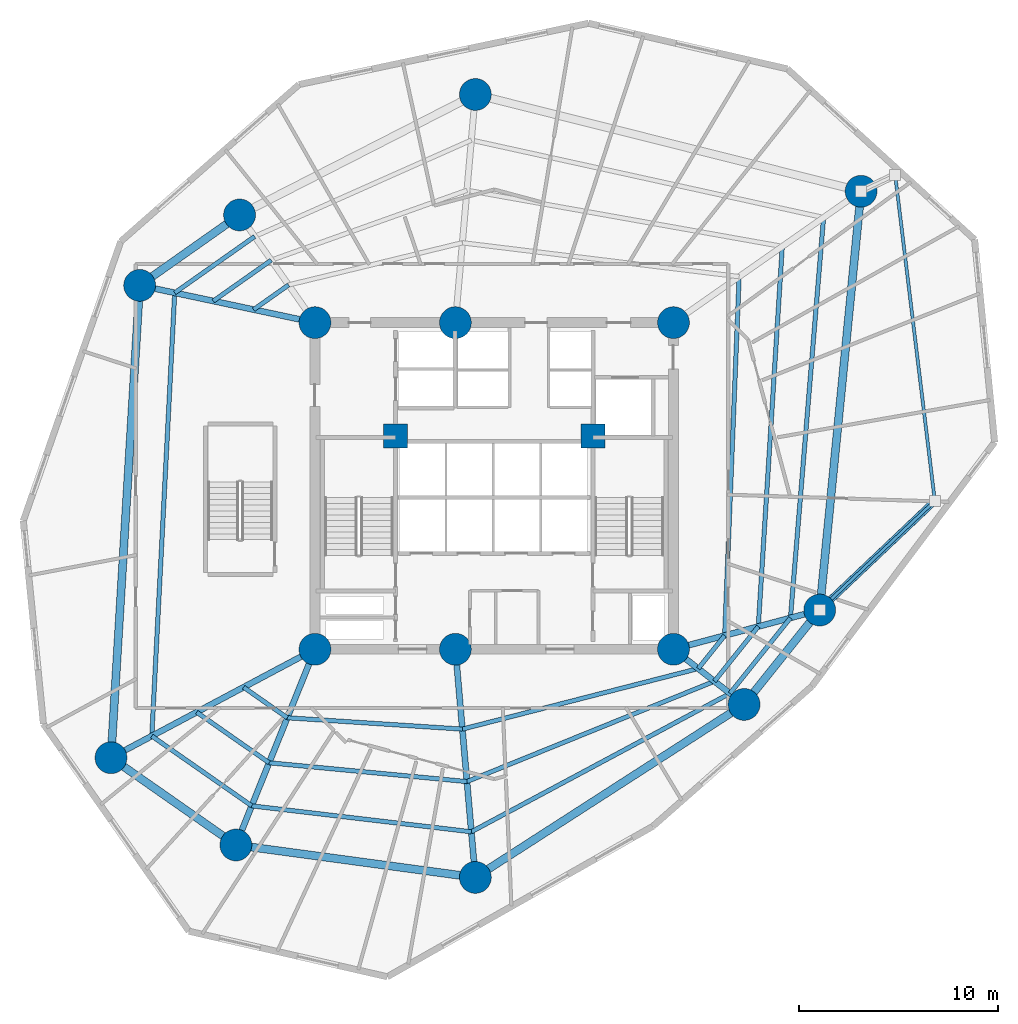
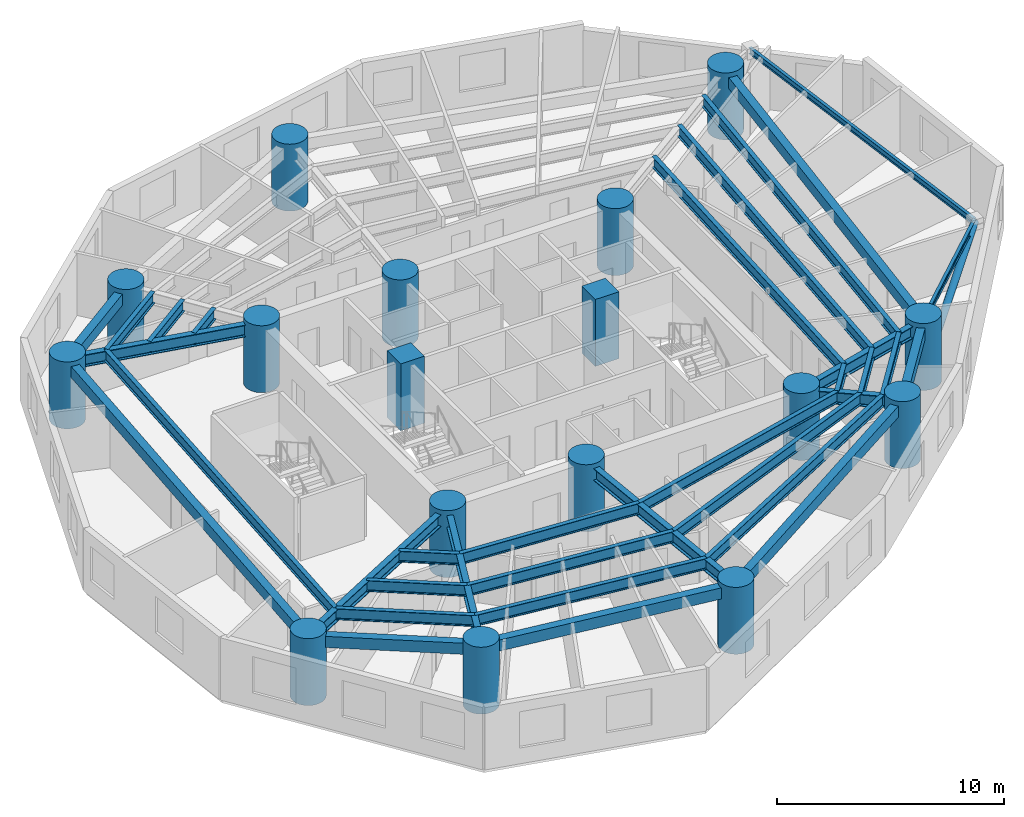
# One storey, part 1 of 8: 34 beams, 17 columns, 1 member.
"""IFC4 building model written with IfcOpenShell, lengths in metres."""

from ifc_helpers import new_model, si_unit, direction, frame, origin, origin_with_axes, origin_2d, place, context, subcontext, project, spatial, rectangle, circle, hollow_circle, i_section, extrude, source, transform, mapped, material, material_profile, profile_set, type_object, element, save


model = new_model("IFC4")

# Units and contexts
model_context = context("Model", 3, precision=1e-05, world=origin(), true_north=direction((0.0, 1.0)))
body_context = subcontext(model_context, "Body", "Model", "MODEL_VIEW")
ifc_project = project(units=[si_unit("LENGTHUNIT", "METRE"), si_unit("AREAUNIT", "SQUARE_METRE"), si_unit("VOLUMEUNIT", "CUBIC_METRE"), si_unit("PLANEANGLEUNIT", "RADIAN"), si_unit("MASSUNIT", "GRAM", prefix="KILO")], contexts=[model_context])

# Site, building, storey
site_placement = place(None, origin())
site = spatial("IfcSite", under=ifc_project, at=site_placement, CompositionType="ELEMENT")
building_placement = place(site_placement, origin())
building = spatial("IfcBuilding", under=site, at=building_placement, Name="Karkom Vertical University and Central Library", CompositionType="ELEMENT")
storey_placement = place(building_placement, frame((0.0, 0.0, 62.5)))
storey = spatial("IfcBuildingStorey", under=building, at=storey_placement, Name="L16", CompositionType="ELEMENT", Elevation=62.5)

# Columns
ifc_material_1 = material(Name="Concrete C50/60", Category="concrete")
ifc_material_profile_1 = material_profile(ifc_material_1, circle(Radius=0.800048828125, at=origin_2d()), Name="CFT-D1600")
ifc_profile_set_1 = profile_set([ifc_material_profile_1], Name="Concrete C50/60")
column_type_1 = type_object("IfcColumnType", Name="STR-COL-C-SC2", PredefinedType="COLUMN", material=ifc_profile_set_1)
shared_shape_1 = source(origin_with_axes(), body_context, "Body", "SweptSolid", [
    extrude(circle(Radius=0.800048828125, at=origin_2d()), origin(), (0.0, 0.0, 1.0), 3.60009765625),
])
for number, where, z_axis, x_axis, name in (
    (1, (19.5, 18.300048828125, 0.0), (0.0, 0.0, 1.0), (1.0, 0.0, 0.0), "Level 16 Spine Mega-Column SC-1"),
    (2, (26.550048828125, 18.300048828125, 0.0), (0.0, 0.0, 1.0), (1.0, 0.0, 0.0), "Level 16 Spine Mega-Column SC-2"),
    (3, (37.5, 18.300048828125, 0.0), (0.0, 0.0, 1.0), (1.0, 0.0, 0.0), "Level 16 Spine Mega-Column SC-3"),
    (4, (19.5, 34.699951171875, 0.0), (0.0, 0.0, 1.0), (1.0, 0.0, 0.0), "Level 16 Spine Mega-Column SC-4"),
    (5, (26.550048828125, 34.699951171875, 0.0), (0.0, 0.0, 1.0), (1.0, 0.0, 0.0), "Level 16 Spine Mega-Column SC-5"),
    (6, (37.5, 34.699951171875, 0.0), (0.0, 0.0, 1.0), (1.0, 0.0, 0.0), "Level 16 Spine Mega-Column SC-6"),
    (7, (44.841064453125, 20.26708984375, 0.0), (0.0, 0.0, 1.0), (1.0, 0.0, 0.0), "Level 16 Perimeter Mega-Column Z1-PC1"),
    (8, (46.919921875, 41.2958984375, 0.0), (0.0, 0.0, 1.0), (1.0, 0.0, 0.0), "Level 16 Perimeter Mega-Column Z1-PC2"),
    (9, (27.552001953125, 46.156005859375, 0.0), (0.0, 0.0, 1.0), (1.0, 0.0, 0.0), "Level 16 Perimeter Mega-Column Z1-PC3"),
    (10, (15.714111328125, 40.10595703125, 0.0), (0.0, 0.0, 1.0), (1.0, 0.0, 0.0), "Level 16 Perimeter Mega-Column Z1-PC4"),
    (11, (10.697021484375, 36.571044921875, 0.0), (0.0, 0.0, 1.0), (1.0, 0.0, 0.0), "Level 16 Perimeter Mega-Column Z1-PC5"),
    (12, (9.258056640625, 12.85400390625, 0.0), (0.0, 0.0, 1.0), (1.0, 0.0, 0.0), "Level 16 Perimeter Mega-Column Z1-PC6"),
    (13, (15.529052734375, 8.471923828125, 0.0), (0.0, 0.0, 1.0), (1.0, 0.0, 0.0), "Level 16 Perimeter Mega-Column Z1-PC7"),
    (14, (27.552001953125, 6.843994140625, 0.0), (0.0, 0.0, 1.0), (1.0, 0.0, 0.0), "Level 16 Perimeter Mega-Column Z1-PC8"),
    (15, (41.0458984375, 15.530029296875, 0.0), (0.0, 0.0, 1.0), (1.0, 0.0, 0.0), "Level 16 Perimeter Mega-Column Z1-PC9"),
):
    element("IfcColumn", number, at=place(storey_placement, frame(where, z_axis=z_axis, x_axis=x_axis)), inside=storey, type_object=column_type_1, Name=name, PredefinedType="COLUMN", context=body_context, shape_type="MappedRepresentation", body=[
        mapped(shared_shape_1, transform((0.0, 0.0, 0.0), scale=1.0)),
    ])
ifc_material_profile_2 = material_profile(ifc_material_1, rectangle(XDim=1.199951171875, YDim=1.199951171875, at=origin_2d()), Name="RC-1200x1200")
ifc_profile_set_2 = profile_set([ifc_material_profile_2], Name="Concrete C50/60")
column_type_2 = type_object("IfcColumnType", Name="STR-COL-C-CC1", PredefinedType="COLUMN", material=ifc_profile_set_2)
shared_shape_2 = source(origin_with_axes(), body_context, "Body", "SweptSolid", [
    extrude(rectangle(XDim=1.199951171875, YDim=1.199951171875, at=origin_2d()), origin(), (0.0, 0.0, 1.0), 3.60009765625),
])
for number, where, z_axis, x_axis, name in (
    (16, (23.550048828125, 29.0, 0.0), (0.0, 0.0, 1.0), (1.0, 0.0, 0.0), "Level 16 Core Node Column CC-1"),
    (17, (33.449951171875, 29.0, 0.0), (0.0, 0.0, 1.0), (1.0, 0.0, 0.0), "Level 16 Core Node Column CC-2"),
):
    element("IfcColumn", number, at=place(storey_placement, frame(where, z_axis=z_axis, x_axis=x_axis)), inside=storey, type_object=column_type_2, Name=name, PredefinedType="COLUMN", context=body_context, shape_type="MappedRepresentation", body=[
        mapped(shared_shape_2, transform((0.0, 0.0, 0.0), scale=1.0)),
    ])

# Beams
ifc_material_2 = material(Name="Steel S355", Category="steel")
ifc_material_profile_3 = material_profile(ifc_material_2, i_section(OverallWidth=0.300048828125, OverallDepth=0.64990234375, WebThickness=0.01611328125, FlangeThickness=0.031005859375, FilletRadius=0.027099609375, at=origin_2d()), Name="HE 650 B")
ifc_profile_set_3 = profile_set([ifc_material_profile_3], Name="Steel S355")
beam_type_1 = type_object("IfcBeamType", Name="STR-BM-SB-HE650", PredefinedType="USERDEFINED", material=ifc_profile_set_3)
shared_shape_3 = source(origin_with_axes(), body_context, "Body", "SweptSolid", [
    extrude(i_section(OverallWidth=0.300048828125, OverallDepth=0.64990234375, WebThickness=0.01611328125, FlangeThickness=0.031005859375, FilletRadius=0.027099609375, at=origin_2d()), origin(), (0.0, 0.0, 1.0), 7.60009765625),
])
beam_1_placement = place(storey_placement, frame((37.5, 18.300048828125, 3.02490234375), z_axis=(0.965925539322, 0.258820116077, 0.0), x_axis=(-0.258820116077, 0.965925539322, 0.0)))
element("IfcBeam", 18, at=beam_1_placement, inside=storey, type_object=beam_type_1, Name="Level 16 Radial Frame Girder 01", ObjectType="GIRDER", PredefinedType="USERDEFINED", context=body_context, shape_type="MappedRepresentation", body=[
    mapped(shared_shape_3, transform((0.0, 0.0, 0.0), scale=1.0)),
])
shared_shape_4 = source(origin_with_axes(), body_context, "Body", "SweptSolid", [
    extrude(i_section(OverallWidth=0.300048828125, OverallDepth=0.64990234375, WebThickness=0.01611328125, FlangeThickness=0.031005859375, FilletRadius=0.027099609375, at=origin_2d()), origin(), (0.0, 0.0, 1.0), 11.499755859375),
])
beam_2_placement = place(storey_placement, frame((26.550048828125, 18.300048828125, 3.02490234375), z_axis=(0.087127973109, -0.99619712723, 0.0), x_axis=(0.99619712723, 0.087127973109, 0.0)))
element("IfcBeam", 19, at=beam_2_placement, inside=storey, type_object=beam_type_1, Name="Level 16 Radial Frame Girder 08", ObjectType="GIRDER", PredefinedType="USERDEFINED", context=body_context, shape_type="MappedRepresentation", body=[
    mapped(shared_shape_4, transform((0.0, 0.0, 0.0), scale=1.0)),
])
shared_shape_5 = source(origin_with_axes(), body_context, "Body", "SweptSolid", [
    extrude(i_section(OverallWidth=0.300048828125, OverallDepth=0.64990234375, WebThickness=0.01611328125, FlangeThickness=0.031005859375, FilletRadius=0.027099609375, at=origin_2d()), origin(), (0.0, 0.0, 1.0), 8.999755859375),
])
beam_3_placement = place(storey_placement, frame((19.5, 34.699951171875, 3.02490234375), z_axis=(-0.978148438993, 0.207907747079, 0.0), x_axis=(-0.207907747079, -0.978148438993, 0.0)))
element("IfcBeam", 20, at=beam_3_placement, inside=storey, type_object=beam_type_1, Name="Level 16 Radial Frame Girder 05", ObjectType="GIRDER", PredefinedType="USERDEFINED", context=body_context, shape_type="MappedRepresentation", body=[
    mapped(shared_shape_5, transform((0.0, 0.0, 0.0), scale=1.0)),
])
shared_shape_6 = source(origin_with_axes(), body_context, "Body", "SweptSolid", [
    extrude(i_section(OverallWidth=0.300048828125, OverallDepth=0.64990234375, WebThickness=0.01611328125, FlangeThickness=0.031005859375, FilletRadius=0.027099609375, at=origin_2d()), origin(), (0.0, 0.0, 1.0), 11.599853515625),
])
beam_4_placement = place(storey_placement, frame((19.5, 18.300048828125, 3.02490234375), z_axis=(-0.882936620635, -0.469492197957, 0.0), x_axis=(0.469492197957, -0.882936620635, 0.0)))
element("IfcBeam", 21, at=beam_4_placement, inside=storey, type_object=beam_type_1, Name="Level 16 Radial Frame Girder 06", ObjectType="GIRDER", PredefinedType="USERDEFINED", context=body_context, shape_type="MappedRepresentation", body=[
    mapped(shared_shape_6, transform((0.0, 0.0, 0.0), scale=1.0)),
])
shared_shape_7 = source(origin_with_axes(), body_context, "Body", "SweptSolid", [
    extrude(i_section(OverallWidth=0.300048828125, OverallDepth=0.64990234375, WebThickness=0.01611328125, FlangeThickness=0.031005859375, FilletRadius=0.027099609375, at=origin_2d()), origin(), (0.0, 0.0, 1.0), 10.60009765625),
])
beam_5_placement = place(storey_placement, frame((19.5, 18.300048828125, 3.02490234375), z_axis=(-0.374616894394, -0.927179692635, 0.0), x_axis=(0.927179692635, -0.374616894394, 0.0)))
element("IfcBeam", 22, at=beam_5_placement, inside=storey, type_object=beam_type_1, Name="Level 16 Radial Frame Girder 07", ObjectType="GIRDER", PredefinedType="USERDEFINED", context=body_context, shape_type="MappedRepresentation", body=[
    mapped(shared_shape_7, transform((0.0, 0.0, 0.0), scale=1.0)),
])
shared_shape_8 = source(origin_with_axes(), body_context, "Body", "SweptSolid", [
    extrude(i_section(OverallWidth=0.300048828125, OverallDepth=0.64990234375, WebThickness=0.01611328125, FlangeThickness=0.031005859375, FilletRadius=0.027099609375, at=origin_2d()), origin(), (0.0, 0.0, 1.0), 4.49951171875),
])
beam_6_placement = place(storey_placement, frame((37.5, 18.300048828125, 3.02490234375), z_axis=(0.788047405801, -0.615614559778, 0.0), x_axis=(0.615614559778, 0.788047405801, 0.0)))
element("IfcBeam", 23, at=beam_6_placement, inside=storey, type_object=beam_type_1, Name="Level 16 Radial Frame Girder 09", ObjectType="GIRDER", PredefinedType="USERDEFINED", context=body_context, shape_type="MappedRepresentation", body=[
    mapped(shared_shape_8, transform((0.0, 0.0, 0.0), scale=1.0)),
])
ifc_material_3 = material(Name="Precast concrete C45/55", Category="concrete")
ifc_material_profile_4 = material_profile(ifc_material_3, rectangle(XDim=0.39990234375, YDim=0.60009765625, at=origin_2d()), Name="SPB-400x600")
ifc_profile_set_4 = profile_set([ifc_material_profile_4], Name="Precast concrete C45/55")
beam_type_2 = type_object("IfcBeamType", Name="STR-BM-SP-1", PredefinedType="SPANDREL", material=ifc_profile_set_4)
shared_shape_9 = source(origin_with_axes(), body_context, "Body", "SweptSolid", [
    extrude(rectangle(XDim=0.39990234375, YDim=0.60009765625, at=origin_2d()), origin(), (0.0, 0.0, 1.0), 21.13134765625),
])
beam_7_placement = place(storey_placement, frame((44.841064453125, 20.26708984375, 3.050048828125), z_axis=(0.0983780471, 0.995149114379, 0.0), x_axis=(-0.995149114379, 0.0983780471, 0.0)))
element("IfcBeam", 24, at=beam_7_placement, inside=storey, type_object=beam_type_2, Name="Level 16 Perimeter Spandrel Beam 01", PredefinedType="SPANDREL", context=body_context, shape_type="MappedRepresentation", body=[
    mapped(shared_shape_9, transform((0.0, 0.0, 0.0), scale=1.0)),
])
shared_shape_10 = source(origin_with_axes(), body_context, "Body", "SweptSolid", [
    extrude(rectangle(XDim=0.39990234375, YDim=0.60009765625, at=origin_2d()), origin(), (0.0, 0.0, 1.0), 6.13720703125),
])
beam_8_placement = place(storey_placement, frame((15.714111328125, 40.10595703125, 3.050048828125), z_axis=(-0.817471365538, -0.575969240955, 0.0), x_axis=(0.575969240955, -0.817471365538, 0.0)))
element("IfcBeam", 25, at=beam_8_placement, inside=storey, type_object=beam_type_2, Name="Level 16 Perimeter Spandrel Beam 04", PredefinedType="SPANDREL", context=body_context, shape_type="MappedRepresentation", body=[
    mapped(shared_shape_10, transform((0.0, 0.0, 0.0), scale=1.0)),
])
shared_shape_11 = source(origin_with_axes(), body_context, "Body", "SweptSolid", [
    extrude(rectangle(XDim=0.39990234375, YDim=0.60009765625, at=origin_2d()), origin(), (0.0, 0.0, 1.0), 23.7607421875),
])
beam_9_placement = place(storey_placement, frame((10.697021484375, 36.571044921875, 3.050048828125), z_axis=(-0.060560827767, -0.998164508556, 0.0), x_axis=(0.998164508556, -0.060560827767, 0.0)))
element("IfcBeam", 26, at=beam_9_placement, inside=storey, type_object=beam_type_2, Name="Level 16 Perimeter Spandrel Beam 05", PredefinedType="SPANDREL", context=body_context, shape_type="MappedRepresentation", body=[
    mapped(shared_shape_11, transform((0.0, 0.0, 0.0), scale=1.0)),
])
shared_shape_12 = source(origin_with_axes(), body_context, "Body", "SweptSolid", [
    extrude(rectangle(XDim=0.39990234375, YDim=0.60009765625, at=origin_2d()), origin(), (0.0, 0.0, 1.0), 7.650390625),
])
beam_10_placement = place(storey_placement, frame((9.258056640625, 12.85400390625, 3.050048828125), z_axis=(0.819699409527, -0.572793922822, 0.0), x_axis=(0.572793922822, 0.819699409527, 0.0)))
element("IfcBeam", 27, at=beam_10_placement, inside=storey, type_object=beam_type_2, Name="Level 16 Perimeter Spandrel Beam 06", PredefinedType="SPANDREL", context=body_context, shape_type="MappedRepresentation", body=[
    mapped(shared_shape_12, transform((0.0, 0.0, 0.0), scale=1.0)),
])
shared_shape_13 = source(origin_with_axes(), body_context, "Body", "SweptSolid", [
    extrude(rectangle(XDim=0.39990234375, YDim=0.60009765625, at=origin_2d()), origin(), (0.0, 0.0, 1.0), 12.132568359375),
])
beam_11_placement = place(storey_placement, frame((15.529052734375, 8.471923828125, 3.050048828125), z_axis=(0.990957319008, -0.134177464223, 0.0), x_axis=(0.134177464223, 0.990957319008, 0.0)))
element("IfcBeam", 28, at=beam_11_placement, inside=storey, type_object=beam_type_2, Name="Level 16 Perimeter Spandrel Beam 07", PredefinedType="SPANDREL", context=body_context, shape_type="MappedRepresentation", body=[
    mapped(shared_shape_13, transform((0.0, 0.0, 0.0), scale=1.0)),
])
shared_shape_14 = source(origin_with_axes(), body_context, "Body", "SweptSolid", [
    extrude(rectangle(XDim=0.39990234375, YDim=0.60009765625, at=origin_2d()), origin(), (0.0, 0.0, 1.0), 16.0478515625),
])
beam_12_placement = place(storey_placement, frame((27.552001953125, 6.843994140625, 3.050048828125), z_axis=(0.84085555045, 0.541259589548, 0.0), x_axis=(-0.541259589548, 0.84085555045, 0.0)))
element("IfcBeam", 29, at=beam_12_placement, inside=storey, type_object=beam_type_2, Name="Level 16 Perimeter Spandrel Beam 08", PredefinedType="SPANDREL", context=body_context, shape_type="MappedRepresentation", body=[
    mapped(shared_shape_14, transform((0.0, 0.0, 0.0), scale=1.0)),
])
shared_shape_15 = source(origin_with_axes(), body_context, "Body", "SweptSolid", [
    extrude(rectangle(XDim=0.39990234375, YDim=0.60009765625, at=origin_2d()), origin(), (0.0, 0.0, 1.0), 6.06982421875),
])
beam_13_placement = place(storey_placement, frame((41.0458984375, 15.530029296875, 3.050048828125), z_axis=(0.625249167344, 0.780425190992, 0.0), x_axis=(-0.780425190992, 0.625249167344, 0.0)))
element("IfcBeam", 30, at=beam_13_placement, inside=storey, type_object=beam_type_2, Name="Level 16 Perimeter Spandrel Beam 09", PredefinedType="SPANDREL", context=body_context, shape_type="MappedRepresentation", body=[
    mapped(shared_shape_15, transform((0.0, 0.0, 0.0), scale=1.0)),
])
ifc_material_profile_5 = material_profile(ifc_material_2, i_section(OverallWidth=0.219970703125, OverallDepth=0.60009765625, WebThickness=0.011962890625, FlangeThickness=0.01904296875, FilletRadius=0.02392578125, at=origin_2d()), Name="IPE 600")
ifc_profile_set_5 = profile_set([ifc_material_profile_5], Name="Steel S355")
beam_type_3 = type_object("IfcBeamType", Name="STR-BM-SB-IPE600", PredefinedType="BEAM", material=ifc_profile_set_5)
shared_shape_16 = source(origin_with_axes(), body_context, "Body", "SweptSolid", [
    extrude(i_section(OverallWidth=0.219970703125, OverallDepth=0.60009765625, WebThickness=0.011962890625, FlangeThickness=0.01904296875, FilletRadius=0.02392578125, at=origin_2d()), origin(), (0.0, 0.0, 1.0), 18.03466796875),
])
beam_14_placement = place(storey_placement, frame((40.0693359375, 18.988525390625, 3.050048828125), z_axis=(0.04035458262, 0.999185422062, 0.0), x_axis=(-0.999185422062, 0.04035458262, 0.0)))
element("IfcBeam", 31, at=beam_14_placement, inside=storey, type_object=beam_type_3, Name="Level 16 Secondary Composite Floor Beam 1.01", PredefinedType="BEAM", context=body_context, shape_type="MappedRepresentation", body=[
    mapped(shared_shape_16, transform((0.0, 0.0, 0.0), scale=1.0)),
])
shared_shape_17 = source(origin_with_axes(), body_context, "Body", "SweptSolid", [
    extrude(i_section(OverallWidth=0.219970703125, OverallDepth=0.60009765625, WebThickness=0.011962890625, FlangeThickness=0.01904296875, FilletRadius=0.02392578125, at=origin_2d()), origin(), (0.0, 0.0, 1.0), 2.14794921875),
])
beam_15_placement = place(storey_placement, frame((18.1748046875, 36.592041015625, 3.050048828125), z_axis=(-0.817433780971, -0.576022580918, 0.0), x_axis=(0.576022580918, -0.817433780971, 0.0)))
element("IfcBeam", 32, at=beam_15_placement, inside=storey, type_object=beam_type_3, Name="Level 16 Secondary Composite Floor Beam 1.04", PredefinedType="BEAM", context=body_context, shape_type="MappedRepresentation", body=[
    mapped(shared_shape_17, transform((0.0, 0.0, 0.0), scale=1.0)),
])
shared_shape_18 = source(origin_with_axes(), body_context, "Body", "SweptSolid", [
    extrude(i_section(OverallWidth=0.219970703125, OverallDepth=0.60009765625, WebThickness=0.011962890625, FlangeThickness=0.01904296875, FilletRadius=0.02392578125, at=origin_2d()), origin(), (0.0, 0.0, 1.0), 2.677490234375),
])
beam_16_placement = place(storey_placement, frame((15.915283203125, 16.393798828125, 3.050048828125), z_axis=(0.819702839548, -0.572789014243, 0.0), x_axis=(0.572789014243, 0.819702839548, 0.0)))
element("IfcBeam", 33, at=beam_16_placement, inside=storey, type_object=beam_type_3, Name="Level 16 Secondary Composite Floor Beam 1.06", PredefinedType="BEAM", context=body_context, shape_type="MappedRepresentation", body=[
    mapped(shared_shape_18, transform((0.0, 0.0, 0.0), scale=1.0)),
])
shared_shape_19 = source(origin_with_axes(), body_context, "Body", "SweptSolid", [
    extrude(i_section(OverallWidth=0.219970703125, OverallDepth=0.60009765625, WebThickness=0.011962890625, FlangeThickness=0.01904296875, FilletRadius=0.02392578125, at=origin_2d()), origin(), (0.0, 0.0, 1.0), 8.80908203125),
])
beam_17_placement = place(storey_placement, frame((18.110107421875, 14.860107421875, 3.050048828125), z_axis=(0.997905617906, -0.064686766433, 0.0), x_axis=(0.064686766433, 0.997905617906, 0.0)))
element("IfcBeam", 34, at=beam_17_placement, inside=storey, type_object=beam_type_3, Name="Level 16 Secondary Composite Floor Beam 1.07", PredefinedType="BEAM", context=body_context, shape_type="MappedRepresentation", body=[
    mapped(shared_shape_19, transform((0.0, 0.0, 0.0), scale=1.0)),
])
shared_shape_20 = source(origin_with_axes(), body_context, "Body", "SweptSolid", [
    extrude(i_section(OverallWidth=0.219970703125, OverallDepth=0.60009765625, WebThickness=0.011962890625, FlangeThickness=0.01904296875, FilletRadius=0.02392578125, at=origin_2d()), origin(), (0.0, 0.0, 1.0), 12.224609375),
])
beam_18_placement = place(storey_placement, frame((26.900634765625, 14.290283203125, 3.050048828125), z_axis=(0.968580403264, 0.248700628092, 0.0), x_axis=(-0.248700628092, 0.968580403264, 0.0)))
element("IfcBeam", 35, at=beam_18_placement, inside=storey, type_object=beam_type_3, Name="Level 16 Secondary Composite Floor Beam 1.08", PredefinedType="BEAM", context=body_context, shape_type="MappedRepresentation", body=[
    mapped(shared_shape_20, transform((0.0, 0.0, 0.0), scale=1.0)),
])
shared_shape_21 = source(origin_with_axes(), body_context, "Body", "SweptSolid", [
    extrude(i_section(OverallWidth=0.219970703125, OverallDepth=0.60009765625, WebThickness=0.011962890625, FlangeThickness=0.01904296875, FilletRadius=0.02392578125, at=origin_2d()), origin(), (0.0, 0.0, 1.0), 2.124267578125),
])
beam_19_placement = place(storey_placement, frame((38.7412109375, 17.33056640625, 3.050048828125), z_axis=(0.625199471959, 0.780465002587, 0.0), x_axis=(-0.780465002587, 0.625199471959, 0.0)))
element("IfcBeam", 36, at=beam_19_placement, inside=storey, type_object=beam_type_3, Name="Level 16 Secondary Composite Floor Beam 1.09", PredefinedType="BEAM", context=body_context, shape_type="MappedRepresentation", body=[
    mapped(shared_shape_21, transform((0.0, 0.0, 0.0), scale=1.0)),
])
shared_shape_22 = source(origin_with_axes(), body_context, "Body", "SweptSolid", [
    extrude(i_section(OverallWidth=0.219970703125, OverallDepth=0.60009765625, WebThickness=0.011962890625, FlangeThickness=0.01904296875, FilletRadius=0.02392578125, at=origin_2d()), origin(), (0.0, 0.0, 1.0), 19.122802734375),
])
beam_20_placement = place(storey_placement, frame((41.7578125, 19.44091796875, 3.050048828125), z_axis=(0.063056264597, 0.998009973645, 0.0), x_axis=(-0.998009973645, 0.063056264597, 0.0)))
element("IfcBeam", 37, at=beam_20_placement, inside=storey, type_object=beam_type_3, Name="Level 16 Secondary Composite Floor Beam 2.01", PredefinedType="BEAM", context=body_context, shape_type="MappedRepresentation", body=[
    mapped(shared_shape_22, transform((0.0, 0.0, 0.0), scale=1.0)),
])
shared_shape_23 = source(origin_with_axes(), body_context, "Body", "SweptSolid", [
    extrude(i_section(OverallWidth=0.219970703125, OverallDepth=0.60009765625, WebThickness=0.011962890625, FlangeThickness=0.01904296875, FilletRadius=0.02392578125, at=origin_2d()), origin(), (0.0, 0.0, 1.0), 3.5595703125),
])
beam_21_placement = place(storey_placement, frame((17.30419921875, 37.83544921875, 3.050048828125), z_axis=(-0.817465552849, -0.575977490798, 0.0), x_axis=(0.575977490798, -0.817465552849, 0.0)))
element("IfcBeam", 38, at=beam_21_placement, inside=storey, type_object=beam_type_3, Name="Level 16 Secondary Composite Floor Beam 2.04", PredefinedType="BEAM", context=body_context, shape_type="MappedRepresentation", body=[
    mapped(shared_shape_23, transform((0.0, 0.0, 0.0), scale=1.0)),
])
shared_shape_24 = source(origin_with_axes(), body_context, "Body", "SweptSolid", [
    extrude(i_section(OverallWidth=0.219970703125, OverallDepth=0.60009765625, WebThickness=0.011962890625, FlangeThickness=0.01904296875, FilletRadius=0.02392578125, at=origin_2d()), origin(), (0.0, 0.0, 1.0), 4.437255859375),
])
beam_22_placement = place(storey_placement, frame((13.5595703125, 15.141357421875, 3.050048828125), z_axis=(0.819712425733, -0.572775295468, 0.0), x_axis=(0.572775295468, 0.819712425733, 0.0)))
element("IfcBeam", 39, at=beam_22_placement, inside=storey, type_object=beam_type_3, Name="Level 16 Secondary Composite Floor Beam 2.06", PredefinedType="BEAM", context=body_context, shape_type="MappedRepresentation", body=[
    mapped(shared_shape_24, transform((0.0, 0.0, 0.0), scale=1.0)),
])
shared_shape_25 = source(origin_with_axes(), body_context, "Body", "SweptSolid", [
    extrude(i_section(OverallWidth=0.219970703125, OverallDepth=0.60009765625, WebThickness=0.011962890625, FlangeThickness=0.01904296875, FilletRadius=0.02392578125, at=origin_2d()), origin(), (0.0, 0.0, 1.0), 9.97900390625),
])
beam_23_placement = place(storey_placement, frame((17.19677734375, 12.599853515625, 3.050048828125), z_axis=(0.995512389915, -0.094631292526, 0.0), x_axis=(0.094631292526, 0.995512389915, 0.0)))
element("IfcBeam", 40, at=beam_23_placement, inside=storey, type_object=beam_type_3, Name="Level 16 Secondary Composite Floor Beam 2.07", PredefinedType="BEAM", context=body_context, shape_type="MappedRepresentation", body=[
    mapped(shared_shape_25, transform((0.0, 0.0, 0.0), scale=1.0)),
])
shared_shape_26 = source(origin_with_axes(), body_context, "Body", "SweptSolid", [
    extrude(i_section(OverallWidth=0.219970703125, OverallDepth=0.60009765625, WebThickness=0.011962890625, FlangeThickness=0.01904296875, FilletRadius=0.02392578125, at=origin_2d()), origin(), (0.0, 0.0, 1.0), 13.407958984375),
])
beam_24_placement = place(storey_placement, frame((27.131103515625, 11.655517578125, 3.050048828125), z_axis=(0.926727273371, 0.375734694685, 0.0), x_axis=(-0.375734694685, 0.926727273371, 0.0)))
element("IfcBeam", 41, at=beam_24_placement, inside=storey, type_object=beam_type_3, Name="Level 16 Secondary Composite Floor Beam 2.08", PredefinedType="BEAM", context=body_context, shape_type="MappedRepresentation", body=[
    mapped(shared_shape_26, transform((0.0, 0.0, 0.0), scale=1.0)),
])
shared_shape_27 = source(origin_with_axes(), body_context, "Body", "SweptSolid", [
    extrude(i_section(OverallWidth=0.219970703125, OverallDepth=0.60009765625, WebThickness=0.011962890625, FlangeThickness=0.01904296875, FilletRadius=0.02392578125, at=origin_2d()), origin(), (0.0, 0.0, 1.0), 3.5205078125),
])
beam_25_placement = place(storey_placement, frame((39.556640625, 16.693359375, 3.050048828125), z_axis=(0.62523614548, 0.780435623473, 0.0), x_axis=(-0.780435623473, 0.62523614548, 0.0)))
element("IfcBeam", 42, at=beam_25_placement, inside=storey, type_object=beam_type_3, Name="Level 16 Secondary Composite Floor Beam 2.09", PredefinedType="BEAM", context=body_context, shape_type="MappedRepresentation", body=[
    mapped(shared_shape_27, transform((0.0, 0.0, 0.0), scale=1.0)),
])
shared_shape_28 = source(origin_with_axes(), body_context, "Body", "SweptSolid", [
    extrude(i_section(OverallWidth=0.219970703125, OverallDepth=0.60009765625, WebThickness=0.011962890625, FlangeThickness=0.01904296875, FilletRadius=0.02392578125, at=origin_2d()), origin(), (0.0, 0.0, 1.0), 20.171875),
])
beam_26_placement = place(storey_placement, frame((43.372802734375, 19.87353515625, 3.050048828125), z_axis=(0.082445490935, 0.996595575459, 0.0), x_axis=(-0.996595575459, 0.082445490935, 0.0)))
element("IfcBeam", 43, at=beam_26_placement, inside=storey, type_object=beam_type_3, Name="Level 16 Secondary Composite Floor Beam 3.01", PredefinedType="BEAM", context=body_context, shape_type="MappedRepresentation", body=[
    mapped(shared_shape_28, transform((0.0, 0.0, 0.0), scale=1.0)),
])
shared_shape_29 = source(origin_with_axes(), body_context, "Body", "SweptSolid", [
    extrude(i_section(OverallWidth=0.219970703125, OverallDepth=0.60009765625, WebThickness=0.011962890625, FlangeThickness=0.01904296875, FilletRadius=0.02392578125, at=origin_2d()), origin(), (0.0, 0.0, 1.0), 4.909912109375),
])
beam_27_placement = place(storey_placement, frame((16.47119140625, 39.02490234375, 3.050048828125), z_axis=(-0.817452635759, -0.575995823153, 0.0), x_axis=(0.575995823153, -0.817452635759, 0.0)))
element("IfcBeam", 44, at=beam_27_placement, inside=storey, type_object=beam_type_3, Name="Level 16 Secondary Composite Floor Beam 3.04", PredefinedType="BEAM", context=body_context, shape_type="MappedRepresentation", body=[
    mapped(shared_shape_29, transform((0.0, 0.0, 0.0), scale=1.0)),
])
shared_shape_30 = source(origin_with_axes(), body_context, "Body", "SweptSolid", [
    extrude(i_section(OverallWidth=0.219970703125, OverallDepth=0.60009765625, WebThickness=0.011962890625, FlangeThickness=0.01904296875, FilletRadius=0.02392578125, at=origin_2d()), origin(), (0.0, 0.0, 1.0), 22.283447265625),
])
beam_28_placement = place(storey_placement, frame((12.45751953125, 36.19677734375, 3.050048828125), z_axis=(-0.051658288147, -0.998664819279, 0.0), x_axis=(0.998664819279, -0.051658288147, 0.0)))
element("IfcBeam", 45, at=beam_28_placement, inside=storey, type_object=beam_type_3, Name="Level 16 Secondary Composite Floor Beam 3.05", PredefinedType="BEAM", context=body_context, shape_type="MappedRepresentation", body=[
    mapped(shared_shape_30, transform((0.0, 0.0, 0.0), scale=1.0)),
])
shared_shape_31 = source(origin_with_axes(), body_context, "Body", "SweptSolid", [
    extrude(i_section(OverallWidth=0.219970703125, OverallDepth=0.60009765625, WebThickness=0.011962890625, FlangeThickness=0.01904296875, FilletRadius=0.02392578125, at=origin_2d()), origin(), (0.0, 0.0, 1.0), 6.120361328125),
])
beam_29_placement = place(storey_placement, frame((11.306396484375, 13.943115234375, 3.050048828125), z_axis=(0.81970577287, -0.572784816422, 0.0), x_axis=(0.572784816422, 0.81970577287, 0.0)))
element("IfcBeam", 46, at=beam_29_placement, inside=storey, type_object=beam_type_3, Name="Level 16 Secondary Composite Floor Beam 3.06", PredefinedType="BEAM", context=body_context, shape_type="MappedRepresentation", body=[
    mapped(shared_shape_31, transform((0.0, 0.0, 0.0), scale=1.0)),
])
shared_shape_32 = source(origin_with_axes(), body_context, "Body", "SweptSolid", [
    extrude(i_section(OverallWidth=0.219970703125, OverallDepth=0.60009765625, WebThickness=0.011962890625, FlangeThickness=0.01904296875, FilletRadius=0.02392578125, at=origin_2d()), origin(), (0.0, 0.0, 1.0), 11.10498046875),
])
beam_30_placement = place(storey_placement, frame((16.3232421875, 10.4375, 3.050048828125), z_axis=(0.993100390447, -0.117267278018, 0.0), x_axis=(0.117267278018, 0.993100390447, 0.0)))
element("IfcBeam", 47, at=beam_30_placement, inside=storey, type_object=beam_type_3, Name="Level 16 Secondary Composite Floor Beam 3.07", PredefinedType="BEAM", context=body_context, shape_type="MappedRepresentation", body=[
    mapped(shared_shape_32, transform((0.0, 0.0, 0.0), scale=1.0)),
])
shared_shape_33 = source(origin_with_axes(), body_context, "Body", "SweptSolid", [
    extrude(i_section(OverallWidth=0.219970703125, OverallDepth=0.60009765625, WebThickness=0.011962890625, FlangeThickness=0.01904296875, FilletRadius=0.02392578125, at=origin_2d()), origin(), (0.0, 0.0, 1.0), 14.727783203125),
])
beam_31_placement = place(storey_placement, frame((27.3515625, 9.13525390625, 3.050048828125), z_axis=(0.881697726656, 0.471814708131, 0.0), x_axis=(-0.471814708131, 0.881697726656, 0.0)))
element("IfcBeam", 48, at=beam_31_placement, inside=storey, type_object=beam_type_3, Name="Level 16 Secondary Composite Floor Beam 3.08", PredefinedType="BEAM", context=body_context, shape_type="MappedRepresentation", body=[
    mapped(shared_shape_33, transform((0.0, 0.0, 0.0), scale=1.0)),
])
shared_shape_34 = source(origin_with_axes(), body_context, "Body", "SweptSolid", [
    extrude(i_section(OverallWidth=0.219970703125, OverallDepth=0.60009765625, WebThickness=0.011962890625, FlangeThickness=0.01904296875, FilletRadius=0.02392578125, at=origin_2d()), origin(), (0.0, 0.0, 1.0), 4.855712890625),
])
beam_32_placement = place(storey_placement, frame((40.3369140625, 16.083984375, 3.050048828125), z_axis=(0.62522835738, 0.780441862747, 0.0), x_axis=(-0.780441862747, 0.62522835738, 0.0)))
element("IfcBeam", 49, at=beam_32_placement, inside=storey, type_object=beam_type_3, Name="Level 16 Secondary Composite Floor Beam 3.09", PredefinedType="BEAM", context=body_context, shape_type="MappedRepresentation", body=[
    mapped(shared_shape_34, transform((0.0, 0.0, 0.0), scale=1.0)),
])
ifc_material_profile_6 = material_profile(ifc_material_2, i_section(OverallWidth=0.159912109375, OverallDepth=0.330078125, WebThickness=0.007568359375, FlangeThickness=0.011474609375, FilletRadius=0.01806640625, at=origin_2d()), Name="IPE 330")
ifc_profile_set_6 = profile_set([ifc_material_profile_6], Name="Steel S355")
beam_type_4 = type_object("IfcBeamType", Name="STR-BM-SB-IPE330", PredefinedType="BEAM", material=ifc_profile_set_6)
shared_shape_35 = source(origin_with_axes(), body_context, "Body", "SweptSolid", [
    extrude(i_section(OverallWidth=0.159912109375, OverallDepth=0.330078125, WebThickness=0.007568359375, FlangeThickness=0.011474609375, FilletRadius=0.01806640625, at=origin_2d()), origin(), (0.0, 0.0, 1.0), 7.969482421875),
])
beam_33_placement = place(storey_placement, frame((44.841064453125, 20.26708984375, 3.18505859375), z_axis=(0.725457423161, 0.688267046415, 0.0), x_axis=(-0.688267046415, 0.725457423161, 0.0)))
element("IfcBeam", 50, at=beam_33_placement, inside=storey, type_object=beam_type_4, Name="Level 16 Sky Garden Outrigger Support Beam 1", PredefinedType="BEAM", context=body_context, shape_type="MappedRepresentation", body=[
    mapped(shared_shape_35, transform((0.0, 0.0, 0.0), scale=1.0)),
])

# Member
ifc_material_profile_7 = material_profile(ifc_material_2, hollow_circle(Radius=0.177734375, WallThickness=0.01611328125, at=origin_2d()), Name="CHS 355.6x16")
ifc_profile_set_7 = profile_set([ifc_material_profile_7], Name="Steel S355")
member_type = type_object("IfcMemberType", Name="STR-MEM-BR-3", PredefinedType="BRACE", material=ifc_profile_set_7)
shared_shape_36 = source(origin_with_axes(), body_context, "Body", "SweptSolid", [
    extrude(hollow_circle(Radius=0.177734375, WallThickness=0.01611328125, at=origin_2d()), origin(), (0.0, 0.0, 1.0), 8.458740234375),
])
member_placement = place(storey_placement, frame((44.841064453125, 20.26708984375, 0.35009765625), z_axis=(0.683499275456, 0.648459871697, 0.335154494599), x_axis=(-0.688267046415, 0.725457423161, 0.0)))
element("IfcMember", 51, at=member_placement, inside=storey, type_object=member_type, Name="Level 16 Sky Garden Knee Strut Brace 1", PredefinedType="BRACE", context=body_context, shape_type="MappedRepresentation", body=[
    mapped(shared_shape_36, transform((0.0, 0.0, 0.0), scale=1.0)),
])

# Beam
shared_shape_37 = source(origin_with_axes(), body_context, "Body", "SweptSolid", [
    extrude(i_section(OverallWidth=0.159912109375, OverallDepth=0.330078125, WebThickness=0.007568359375, FlangeThickness=0.011474609375, FilletRadius=0.01806640625, at=origin_2d()), origin(), (0.0, 0.0, 1.0), 16.478271484375),
])
beam_34_placement = place(storey_placement, frame((50.62255859375, 25.752197265625, 3.18505859375), z_axis=(-0.120853905583, 0.992670304535, 0.0), x_axis=(-0.992670304535, -0.120853905583, 0.0)))
element("IfcBeam", 52, at=beam_34_placement, inside=storey, type_object=beam_type_4, Name="Level 16 Sky Garden Perimeter Edge Beam", PredefinedType="BEAM", context=body_context, shape_type="MappedRepresentation", body=[
    mapped(shared_shape_37, transform((0.0, 0.0, 0.0), scale=1.0)),
])

save(model, "model.ifc")
